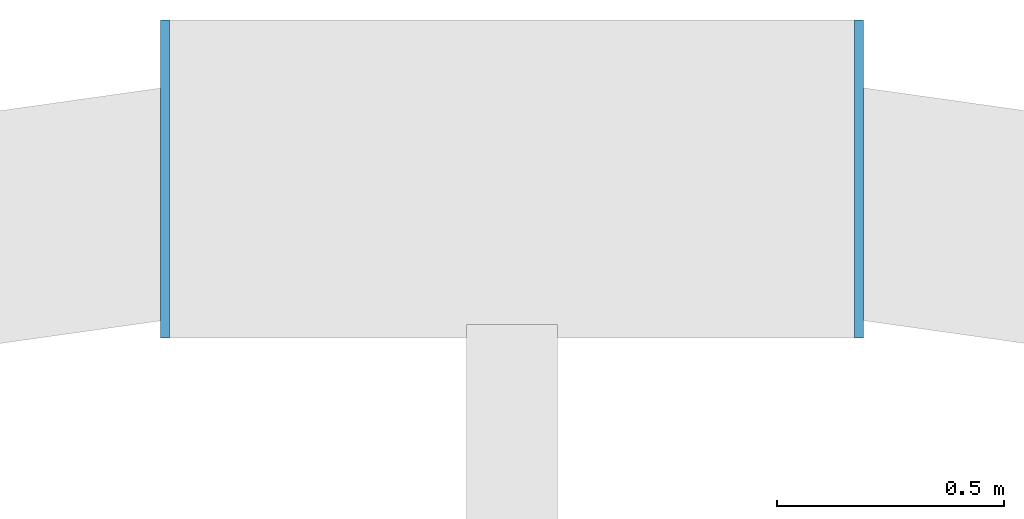
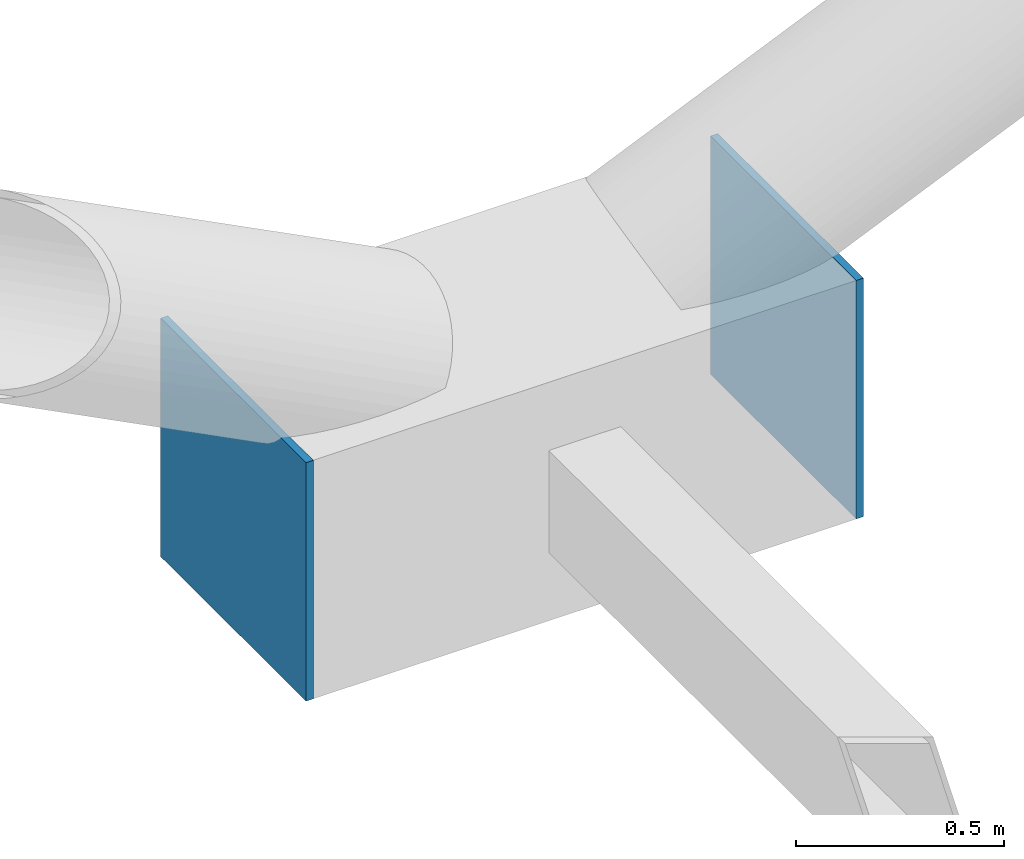
# One storey, part 14 of 18: 2 discrete accessories.
"""IFC4 building model written with IfcOpenShell, lengths in metres."""

from ifc_helpers import new_model, si_unit, direction, frame, origin, origin_2d, place, context, subcontext, project, spatial, rectangle, extrude, material, layer, layer_set, type_object, element, save


model = new_model("IFC4")

# Units and contexts
model_context = context("Model", 3, precision=1e-05, world=origin(), true_north=direction((0.0, 1.0)))
body_context = subcontext(model_context, "Body", "Model", "MODEL_VIEW")
ifc_project = project(units=[si_unit("LENGTHUNIT", "METRE"), si_unit("AREAUNIT", "SQUARE_METRE"), si_unit("VOLUMEUNIT", "CUBIC_METRE"), si_unit("PLANEANGLEUNIT", "RADIAN"), si_unit("MASSUNIT", "GRAM", prefix="KILO")], contexts=[model_context])

# Site, building, storey
site_placement = place(None, origin())
site = spatial("IfcSite", under=ifc_project, at=site_placement, CompositionType="ELEMENT")
building_placement = place(site_placement, origin())
building = spatial("IfcBuilding", under=site, at=building_placement, Name="Siaravel Broadcast Tower", CompositionType="ELEMENT")
storey_placement = place(building_placement, frame((0.0, 0.0, 92.60009765625)))
storey = spatial("IfcBuildingStorey", under=building, at=storey_placement, Name="L21", CompositionType="ELEMENT", Elevation=92.60009765625)

# Discrete accessories
ifc_material = material(Name="Steel S355", Category="steel")
ifc_layer = layer(ifc_material, 0.02001953125)
ifc_layer_set = layer_set([ifc_layer], Name="Steel S355")
discrete_accessory_type = type_object("IfcDiscreteAccessoryType", Name="Steel end plate 20 mm", PredefinedType="USERDEFINED", material=ifc_layer_set)
for number, where, z_axis, x_axis, name in (
    (1, (-0.763427734375, 24.33056640625, -0.55029296875), (0.0, 0.0, 1.0), (-1.0, 0.0, 0.0), "End plate R09 station 18A"),
    (2, (0.763427734375, 24.33056640625, -0.55029296875), (0.0, 0.0, 1.0), (-1.0, 0.0, 0.0), "End plate R09 station 18B"),
):
    element("IfcDiscreteAccessory", number, at=place(storey_placement, frame(where, z_axis=z_axis, x_axis=x_axis)), inside=storey, type_object=discrete_accessory_type, Name=name, ObjectType="END PLATE", PredefinedType="USERDEFINED", context=body_context, shape_type="SweptSolid", body=[
        extrude(rectangle(XDim=0.02001953125, YDim=0.699951171875, at=origin_2d()), origin(), (0.0, 0.0, 1.0), 0.699951171875),
    ])

save(model, "model.ifc")
